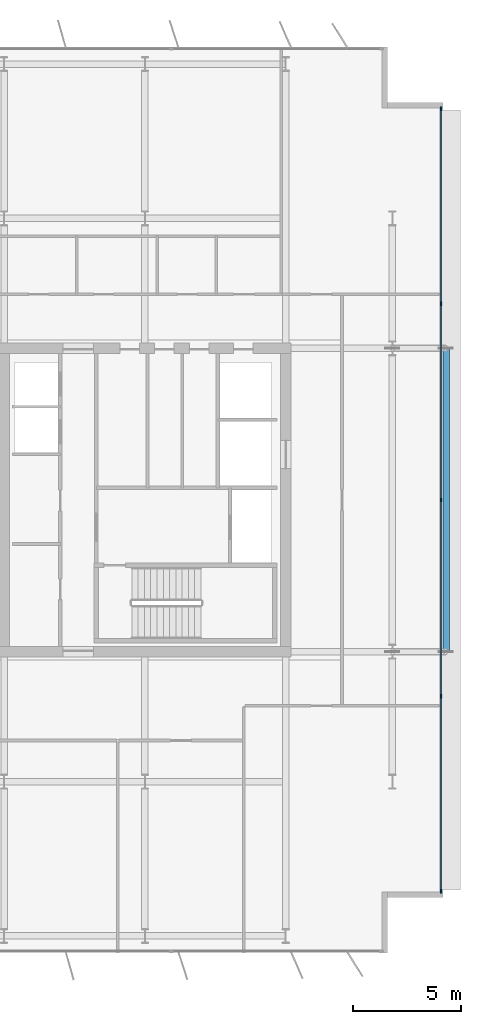
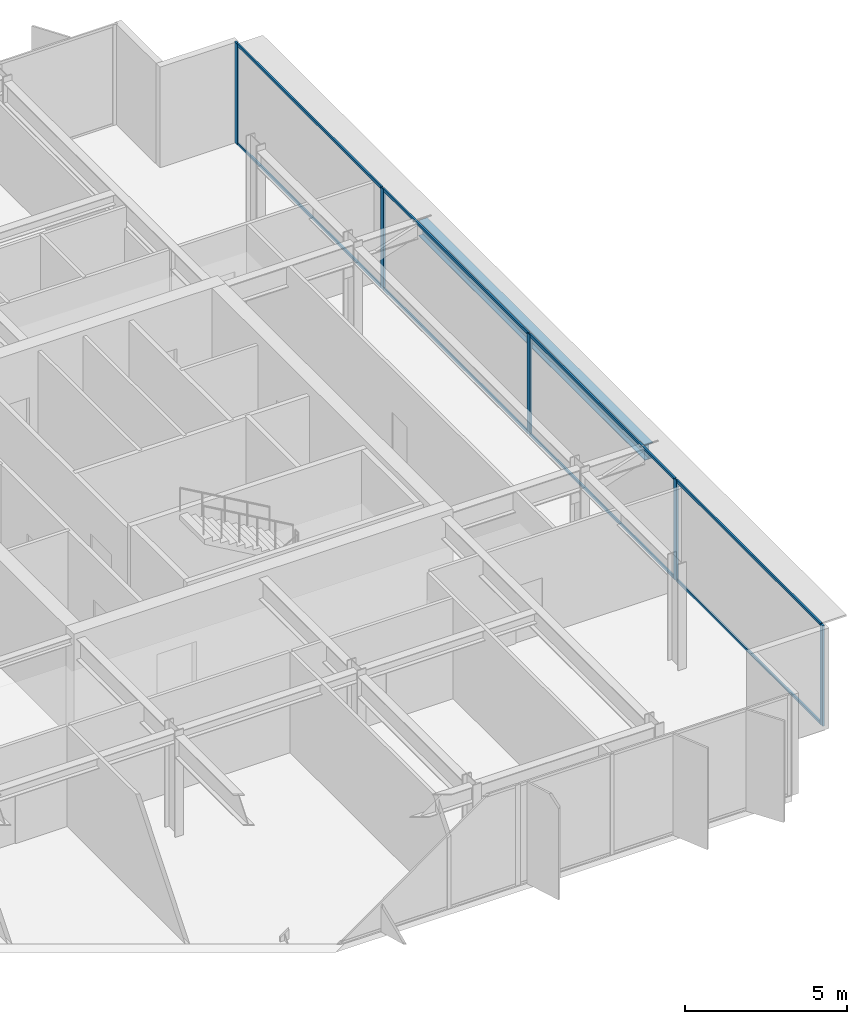
# One storey, part 10 of 21: 13 members, 1 beam, 1 element without a shape of its own.
"""IFC4 building model written with IfcOpenShell, lengths in metres."""

import ifcopenshell
import ifcopenshell.guid

model = None  # the IFC model being written
_history = None  # IfcOwnerHistory: only IFC2X3 demands one
_inside = {}  # id of a spatial element -> (the spatial element, [elements in it])
_under = {}  # id of a project, library or spatial element -> (it, [spatial elements below it])
_declared = {}  # id of a project -> (the project, [libraries it declares])
_typed = {}  # id of a type object -> (the type object, [elements of that type])
_made_of = {}  # id of a material, layer set ... -> (it, [elements and type objects made of it])


def new_model(schema):
    """Start an empty IFC model of exactly this schema.

    Asked for "IFC4X3", IfcOpenShell would pick the latest addendum, in which some entities
    have other attributes; the version numbers below select the first issue.
    IFC2X3 requires an IfcOwnerHistory on every rooted entity: one is made here for all.
    """
    global model, _history
    if schema == "IFC4X3":
        model = ifcopenshell.file(schema_version=(4, 3, 0, 0))
    else:
        model = ifcopenshell.file(schema=schema)
    _inside.clear()
    _under.clear()
    _declared.clear()
    _typed.clear()
    _made_of.clear()
    _history = None
    if model.schema == "IFC2X3":
        org = make("IfcOrganization", Name="unknown")
        user = make(
            "IfcPersonAndOrganization",
            ThePerson=make("IfcPerson", FamilyName="unknown"),
            TheOrganization=org,
        )
        app = make(
            "IfcApplication",
            ApplicationDeveloper=org,
            Version="unknown",
            ApplicationFullName="unknown",
            ApplicationIdentifier="unknown",
        )
        _history = make(
            "IfcOwnerHistory",
            OwningUser=user,
            OwningApplication=app,
            ChangeAction="ADDED",
            CreationDate=0,
        )
    return model


def make(cls, **values):
    """One entity of the class cls with the attributes given. An attribute that is None is left unset."""
    return model.create_entity(
        cls, **{name: value for name, value in values.items() if value is not None}
    )


def rooted(cls, **values):
    """An entity with a GlobalId (a new one), such as an element, a storey or a relation."""
    return make(cls, GlobalId=ifcopenshell.guid.new(), OwnerHistory=_history, **values)


def si_unit(unit_type, name, prefix=None):
    """IfcSIUnit, for example si_unit("LENGTHUNIT", "METRE", prefix="MILLI")."""
    return make("IfcSIUnit", UnitType=unit_type, Prefix=prefix, Name=name)


def assignment(units):
    """IfcUnitAssignment: the units of a project."""
    return None if units is None else make("IfcUnitAssignment", Units=units)


def point(xyz):
    """IfcCartesianPoint."""
    return None if xyz is None else make("IfcCartesianPoint", Coordinates=xyz)


def direction(xyz):
    """IfcDirection."""
    return None if xyz is None else make("IfcDirection", DirectionRatios=xyz)


def frame(location, z_axis=None, x_axis=None):
    """IfcAxis2Placement3D, a coordinate frame: its origin and axes. An axis left out is left unset."""
    return make(
        "IfcAxis2Placement3D",
        Location=point(location),
        Axis=direction(z_axis),
        RefDirection=direction(x_axis),
    )


def frame_2d(location, x_axis=None):
    """IfcAxis2Placement2D, a coordinate frame in the plane: its origin and x axis."""
    return make(
        "IfcAxis2Placement2D", Location=point(location), RefDirection=direction(x_axis)
    )


def origin():
    """The frame at (0, 0, 0) with its axes left unset."""
    return frame((0.0, 0.0, 0.0))


def origin_2d():
    """The frame at (0, 0) in the plane with its x axis left unset."""
    return frame_2d((0.0, 0.0))


def place(relative_to, where):
    """IfcLocalPlacement: puts the frame where relative to a parent placement (None: the world)."""
    return make(
        "IfcLocalPlacement", PlacementRelTo=relative_to, RelativePlacement=where
    )


def context(
    kind, dimensions, precision=None, world=None, true_north=None, identifier=None
):
    """IfcGeometricRepresentationContext, for example the 3D "Model" context."""
    return make(
        "IfcGeometricRepresentationContext",
        ContextIdentifier=identifier,
        ContextType=kind,
        CoordinateSpaceDimension=dimensions,
        Precision=precision,
        WorldCoordinateSystem=world,
        TrueNorth=true_north,
    )


def subcontext(parent, identifier, kind, view, scale=None):
    """IfcGeometricRepresentationSubContext, for example "Body" below "Model"."""
    return make(
        "IfcGeometricRepresentationSubContext",
        ContextIdentifier=identifier,
        ContextType=kind,
        ParentContext=parent,
        TargetScale=scale,
        TargetView=view,
    )


def project(units=None, contexts=None):
    """IfcProject with its units and contexts."""
    return rooted(
        "IfcProject",
        Name="project",
        RepresentationContexts=contexts,
        UnitsInContext=assignment(units),
    )


def spatial(cls, under=None, at=None, **own):
    """A site, building, storey or space (cls), placed at a placement, below another one or the project."""
    s = rooted(cls, ObjectPlacement=at, **own)
    if under is not None:
        _under.setdefault(under.id(), (under, []))[1].append(s)
    return s


def profile(cls, at=None, kind="AREA", **sizes):
    """A parametric profile (cls). Its sizes go by their IFC names, for example OverallWidth=200.0."""
    return make(cls, ProfileType=kind, Position=at, **sizes)


def rectangle(**sizes):
    """IfcRectangleProfileDef."""
    return profile("IfcRectangleProfileDef", **sizes)


def i_section(**sizes):
    """IfcIShapeProfileDef."""
    return profile("IfcIShapeProfileDef", **sizes)


def extrude(swept, where, along, depth):
    """IfcExtrudedAreaSolid: the profile swept, set in the frame where, extruded along a direction by depth."""
    return make(
        "IfcExtrudedAreaSolid",
        SweptArea=swept,
        Position=where,
        ExtrudedDirection=direction(along),
        Depth=depth,
    )


def shape(context_of_items, identifier, shape_type, items):
    """IfcShapeRepresentation: the items that make up one representation, for example the "Body"."""
    return make(
        "IfcShapeRepresentation",
        ContextOfItems=context_of_items,
        RepresentationIdentifier=identifier,
        RepresentationType=shape_type,
        Items=items,
    )


def material(Name=None, Category=None):
    """IfcMaterial."""
    return make("IfcMaterial", Name=Name, Category=Category)


def layer(
    of_material, thickness, ventilated=None, Name=None, Category=None, Priority=None
):
    """IfcMaterialLayer: one layer of a wall or slab, of a material (None: an air gap)."""
    return make(
        "IfcMaterialLayer",
        Material=of_material,
        LayerThickness=thickness,
        IsVentilated=ventilated,
        Name=Name,
        Category=Category,
        Priority=Priority,
    )


def layer_set(layers, Name=None):
    """IfcMaterialLayerSet."""
    return make("IfcMaterialLayerSet", MaterialLayers=layers, LayerSetName=Name)


def material_profile(
    of_material, cross_section, Name=None, Category=None, Priority=None
):
    """IfcMaterialProfile: a cross section and its material."""
    return make(
        "IfcMaterialProfile",
        Name=Name,
        Material=of_material,
        Profile=cross_section,
        Priority=Priority,
        Category=Category,
    )


def profile_set(profiles, Name=None, composite=None):
    """IfcMaterialProfileSet."""
    return make(
        "IfcMaterialProfileSet",
        Name=Name,
        MaterialProfiles=profiles,
        CompositeProfile=composite,
    )


def made_of(thing, what):
    """Note that an element or type object is made of a material, layer set ...; save() writes the relation."""
    if what is not None:
        _made_of.setdefault(what.id(), (what, []))[1].append(thing)
    return thing


def type_object(cls, material=None, **own):
    """A type object (cls), such as IfcWallType, which elements share."""
    return made_of(rooted(cls, **own), material)


def element(
    cls,
    number,
    at=None,
    inside=None,
    cuts=None,
    type_object=None,
    material=None,
    context=None,
    identifier="Body",
    shape_type=None,
    held_by="IfcProductDefinitionShape",
    body=None,
    shapes=None,
    **own,
):
    """One element of the class cls, such as IfcWall. Its Tag is "e" and its number.

    at: its placement. inside: the storey or other place that contains it. cuts: it is an
    opening in that element (IfcRelVoidsElement). A single representation is given by context,
    identifier, shape_type and body (its items); several are given by shapes. held_by: the class
    of the entity that holds the representations. save() writes the other relations.
    """
    e = rooted(cls, Tag="e%d" % number, ObjectPlacement=at, **own)
    if body is not None:
        shapes = [shape(context, identifier, shape_type, body)]
    if shapes is not None:
        e.Representation = make(held_by, Representations=shapes)
    if inside is not None:
        _inside.setdefault(inside.id(), (inside, []))[1].append(e)
    if cuts is not None:
        rooted(
            "IfcRelVoidsElement", RelatingBuildingElement=cuts, RelatedOpeningElement=e
        )
    if type_object is not None:
        _typed.setdefault(type_object.id(), (type_object, []))[1].append(e)
    return made_of(e, material)


def aggregate(whole, parts):
    """IfcRelAggregates: a whole, such as a stair, and the parts it consists of."""
    return rooted("IfcRelAggregates", RelatingObject=whole, RelatedObjects=parts)


def save(model, path):
    """Write the relations noted so far, then the file.

    IfcRelAggregates (storeys below a building ...), IfcRelContainedInSpatialStructure (elements
    in a storey), IfcRelDefinesByType, IfcRelAssociatesMaterial and IfcRelDeclares: one each for
    every whole, place, type object, material and project.
    """
    for whole, parts in _under.values():
        aggregate(whole, parts)
    for where, things in _inside.values():
        rooted(
            "IfcRelContainedInSpatialStructure",
            RelatedElements=things,
            RelatingStructure=where,
        )
    for kind, things in _typed.values():
        rooted("IfcRelDefinesByType", RelatedObjects=things, RelatingType=kind)
    for what, things in _made_of.values():
        rooted("IfcRelAssociatesMaterial", RelatedObjects=things, RelatingMaterial=what)
    for by, libraries in _declared.values():
        rooted("IfcRelDeclares", RelatingContext=by, RelatedDefinitions=libraries)
    model.write(path)


model = new_model("IFC4")

# Units and contexts
model_context = context("Model", 3, precision=1e-05, world=origin(), true_north=direction((0.0, 1.0)))
body_context = subcontext(model_context, "Body", "Model", "MODEL_VIEW")
ifc_project = project(units=[si_unit("LENGTHUNIT", "METRE"), si_unit("AREAUNIT", "SQUARE_METRE"), si_unit("VOLUMEUNIT", "CUBIC_METRE"), si_unit("PLANEANGLEUNIT", "RADIAN"), si_unit("MASSUNIT", "GRAM", prefix="KILO")], contexts=[model_context])

# Site, building, storey
site_placement = place(None, origin())
site = spatial("IfcSite", under=ifc_project, at=site_placement, CompositionType="ELEMENT")
building_placement = place(site_placement, origin())
building = spatial("IfcBuilding", under=site, at=building_placement, Name="Putna Gate Headquarters", CompositionType="ELEMENT")
storey_placement = place(building_placement, frame((0.0, 0.0, 278.39990234375)))
storey = spatial("IfcBuildingStorey", under=building, at=storey_placement, Name="L70", CompositionType="ELEMENT", Elevation=278.39990234375)

# Beam
ifc_material_1 = material(Name="Steel S355J2", Category="steel")
ifc_material_profile_1 = material_profile(ifc_material_1, i_section(OverallWidth=0.300048828125, OverallDepth=0.590087890625, WebThickness=0.012939453125, FlangeThickness=0.02490234375, at=origin_2d()), Name="Steel S355J2")
ifc_profile_set_1 = profile_set([ifc_material_profile_1], Name="Steel S355J2")
beam_type = type_object("IfcBeamType", Name="BM-SPAN-Z4-HEA600", PredefinedType="SPANDREL", material=ifc_profile_set_1)
beam_placement = place(storey_placement, frame((72.39892578125, 19.02001953125, 3.4931640625), z_axis=(0.0, 1.0, 0.0), x_axis=(-1.0, 0.0, 0.0)))
element("IfcBeam", 1, at=beam_placement, inside=storey, type_object=beam_type, Name="L70 East Sail Edge Spandrel", PredefinedType="SPANDREL", context=body_context, shape_type="SweptSolid", body=[
    extrude(i_section(OverallWidth=0.300048828125, OverallDepth=0.590087890625, WebThickness=0.012939453125, FlangeThickness=0.02490234375, at=origin_2d()), origin(), (0.0, 0.0, 1.0), 13.9599609375),
])

# Curtain wall, members
ifc_material_2 = material(Name="Anodised bronze aluminium curtain wall", Category="aluminium")
ifc_layer = layer(ifc_material_2, 0.179931640625)
ifc_layer_set = layer_set([ifc_layer], Name="Anodised bronze aluminium curtain wall")
curtain_wall_type = type_object("IfcCurtainWallType", Name="CW-SYS-Z5", PredefinedType="USERDEFINED", material=ifc_layer_set)
curtain_wall_placement = place(storey_placement, origin())
curtain_wall = element("IfcCurtainWall", 2, at=curtain_wall_placement, inside=storey, type_object=curtain_wall_type, Name="L70 East Curtain Wall", ObjectType="STICK CURTAIN WALL", PredefinedType="USERDEFINED")
ifc_material_3 = material(Name="Anodised bronze aluminium EN AW-6060", Category="aluminium")
ifc_material_profile_2 = material_profile(ifc_material_3, rectangle(XDim=0.070068359375, YDim=0.179931640625, at=origin_2d()), Name="Anodised bronze aluminium EN AW-6060")
ifc_profile_set_2 = profile_set([ifc_material_profile_2], Name="Anodised bronze aluminium EN AW-6060")
member_type_1 = type_object("IfcMemberType", Name="MULL-CWM-5", PredefinedType="MULLION", material=ifc_profile_set_2)
member_1_placement = place(storey_placement, frame((72.171142578125, 7.93505859375, 0.0), z_axis=(0.0, 0.0, 1.0), x_axis=(-1.0, 0.0, 0.0)))
member_1 = element("IfcMember", 3, at=member_1_placement, type_object=member_type_1, Name="CWS-5 mullion 1", PredefinedType="MULLION", context=body_context, shape_type="SweptSolid", body=[
    extrude(rectangle(XDim=0.070068359375, YDim=0.179931640625, at=origin_2d()), origin(), (0.0, 0.0, 1.0), 3.7880859375),
])
member_2_placement = place(storey_placement, frame((72.171142578125, 16.949951171875, 0.0), z_axis=(0.0, 0.0, 1.0), x_axis=(-1.0, 0.0, 0.0)))
member_2 = element("IfcMember", 4, at=member_2_placement, type_object=member_type_1, Name="CWS-5 mullion 2", PredefinedType="MULLION", context=body_context, shape_type="SweptSolid", body=[
    extrude(rectangle(XDim=0.070068359375, YDim=0.179931640625, at=origin_2d()), origin(), (0.0, 0.0, 1.0), 3.7880859375),
])
member_3_placement = place(storey_placement, frame((72.171142578125, 26.0, 0.0), z_axis=(0.0, 0.0, 1.0), x_axis=(-1.0, 0.0, 0.0)))
member_3 = element("IfcMember", 5, at=member_3_placement, type_object=member_type_1, Name="CWS-5 mullion 3", PredefinedType="MULLION", context=body_context, shape_type="SweptSolid", body=[
    extrude(rectangle(XDim=0.070068359375, YDim=0.179931640625, at=origin_2d()), origin(), (0.0, 0.0, 1.0), 3.7880859375),
])
member_4_placement = place(storey_placement, frame((72.171142578125, 35.050048828125, 0.0), z_axis=(0.0, 0.0, 1.0), x_axis=(-1.0, 0.0, 0.0)))
member_4 = element("IfcMember", 6, at=member_4_placement, type_object=member_type_1, Name="CWS-5 mullion 4", PredefinedType="MULLION", context=body_context, shape_type="SweptSolid", body=[
    extrude(rectangle(XDim=0.070068359375, YDim=0.179931640625, at=origin_2d()), origin(), (0.0, 0.0, 1.0), 3.7880859375),
])
member_5_placement = place(storey_placement, frame((72.171142578125, 44.06494140625, 0.0), z_axis=(0.0, 0.0, 1.0), x_axis=(-1.0, 0.0, 0.0)))
member_5 = element("IfcMember", 7, at=member_5_placement, type_object=member_type_1, Name="CWS-5 mullion 5", PredefinedType="MULLION", context=body_context, shape_type="SweptSolid", body=[
    extrude(rectangle(XDim=0.070068359375, YDim=0.179931640625, at=origin_2d()), origin(), (0.0, 0.0, 1.0), 3.7880859375),
])
ifc_material_profile_3 = material_profile(ifc_material_3, rectangle(XDim=0.06005859375, YDim=0.10009765625, at=origin_2d()), Name="Anodised bronze aluminium EN AW-6060")
ifc_profile_set_3 = profile_set([ifc_material_profile_3], Name="Anodised bronze aluminium EN AW-6060")
member_type_2 = type_object("IfcMemberType", Name="TRAN-CWT-5", PredefinedType="USERDEFINED", material=ifc_profile_set_3)
member_6_placement = place(storey_placement, frame((72.171142578125, 7.969970703125, 0.030029296875), z_axis=(0.0, 1.0, 0.0), x_axis=(-1.0, 0.0, 0.0)))
member_6 = element("IfcMember", 8, at=member_6_placement, type_object=member_type_2, Name="CWS-5 transom 1.1", ObjectType="TRANSOM", PredefinedType="USERDEFINED", context=body_context, shape_type="SweptSolid", body=[
    extrude(rectangle(XDim=0.06005859375, YDim=0.10009765625, at=origin_2d()), origin(), (0.0, 0.0, 1.0), 8.945068359375),
])
member_7_placement = place(storey_placement, frame((72.171142578125, 7.969970703125, 3.758056640625), z_axis=(0.0, 1.0, 0.0), x_axis=(-1.0, 0.0, 0.0)))
member_7 = element("IfcMember", 9, at=member_7_placement, type_object=member_type_2, Name="CWS-5 transom 1.2", ObjectType="TRANSOM", PredefinedType="USERDEFINED", context=body_context, shape_type="SweptSolid", body=[
    extrude(rectangle(XDim=0.06005859375, YDim=0.10009765625, at=origin_2d()), origin(), (0.0, 0.0, 1.0), 8.945068359375),
])
member_8_placement = place(storey_placement, frame((72.171142578125, 16.985107421875, 0.030029296875), z_axis=(0.0, 1.0, 0.0), x_axis=(-1.0, 0.0, 0.0)))
member_8 = element("IfcMember", 10, at=member_8_placement, type_object=member_type_2, Name="CWS-5 transom 2.1", ObjectType="TRANSOM", PredefinedType="USERDEFINED", context=body_context, shape_type="SweptSolid", body=[
    extrude(rectangle(XDim=0.06005859375, YDim=0.10009765625, at=origin_2d()), origin(), (0.0, 0.0, 1.0), 8.97998046875),
])
member_9_placement = place(storey_placement, frame((72.171142578125, 16.985107421875, 3.758056640625), z_axis=(0.0, 1.0, 0.0), x_axis=(-1.0, 0.0, 0.0)))
member_9 = element("IfcMember", 11, at=member_9_placement, type_object=member_type_2, Name="CWS-5 transom 2.2", ObjectType="TRANSOM", PredefinedType="USERDEFINED", context=body_context, shape_type="SweptSolid", body=[
    extrude(rectangle(XDim=0.06005859375, YDim=0.10009765625, at=origin_2d()), origin(), (0.0, 0.0, 1.0), 8.97998046875),
])
member_10_placement = place(storey_placement, frame((72.171142578125, 26.034912109375, 0.030029296875), z_axis=(0.0, 1.0, 0.0), x_axis=(-1.0, 0.0, 0.0)))
member_10 = element("IfcMember", 12, at=member_10_placement, type_object=member_type_2, Name="CWS-5 transom 3.1", ObjectType="TRANSOM", PredefinedType="USERDEFINED", context=body_context, shape_type="SweptSolid", body=[
    extrude(rectangle(XDim=0.06005859375, YDim=0.10009765625, at=origin_2d()), origin(), (0.0, 0.0, 1.0), 8.97998046875),
])
member_11_placement = place(storey_placement, frame((72.171142578125, 26.034912109375, 3.758056640625), z_axis=(0.0, 1.0, 0.0), x_axis=(-1.0, 0.0, 0.0)))
member_11 = element("IfcMember", 13, at=member_11_placement, type_object=member_type_2, Name="CWS-5 transom 3.2", ObjectType="TRANSOM", PredefinedType="USERDEFINED", context=body_context, shape_type="SweptSolid", body=[
    extrude(rectangle(XDim=0.06005859375, YDim=0.10009765625, at=origin_2d()), origin(), (0.0, 0.0, 1.0), 8.97998046875),
])
member_12_placement = place(storey_placement, frame((72.171142578125, 35.0849609375, 0.030029296875), z_axis=(0.0, 1.0, 0.0), x_axis=(-1.0, 0.0, 0.0)))
member_12 = element("IfcMember", 14, at=member_12_placement, type_object=member_type_2, Name="CWS-5 transom 4.1", ObjectType="TRANSOM", PredefinedType="USERDEFINED", context=body_context, shape_type="SweptSolid", body=[
    extrude(rectangle(XDim=0.06005859375, YDim=0.10009765625, at=origin_2d()), origin(), (0.0, 0.0, 1.0), 8.945068359375),
])
member_13_placement = place(storey_placement, frame((72.171142578125, 35.0849609375, 3.758056640625), z_axis=(0.0, 1.0, 0.0), x_axis=(-1.0, 0.0, 0.0)))
member_13 = element("IfcMember", 15, at=member_13_placement, type_object=member_type_2, Name="CWS-5 transom 4.2", ObjectType="TRANSOM", PredefinedType="USERDEFINED", context=body_context, shape_type="SweptSolid", body=[
    extrude(rectangle(XDim=0.06005859375, YDim=0.10009765625, at=origin_2d()), origin(), (0.0, 0.0, 1.0), 8.945068359375),
])
aggregate(curtain_wall, [member_1, member_2, member_3, member_4, member_5, member_6, member_7, member_8, member_9, member_10, member_11, member_12, member_13])

save(model, "model.ifc")
